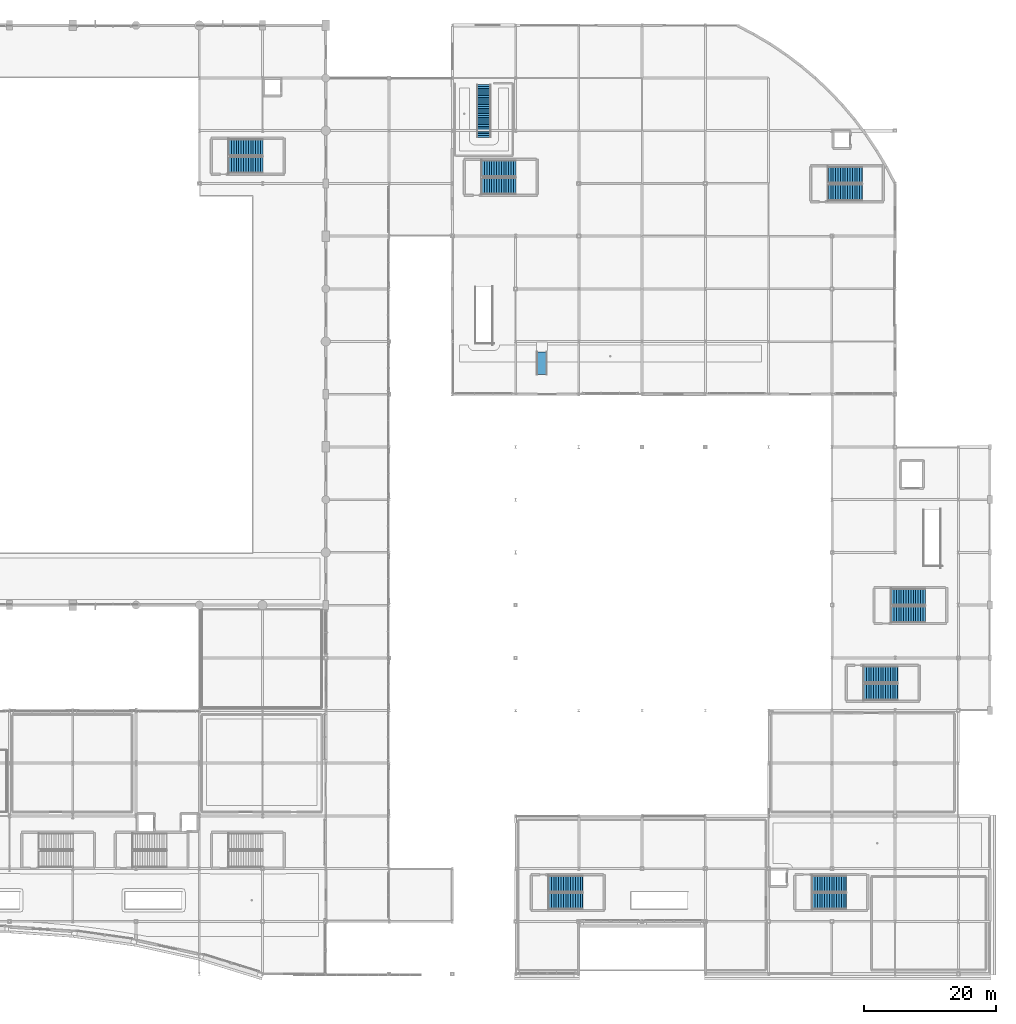
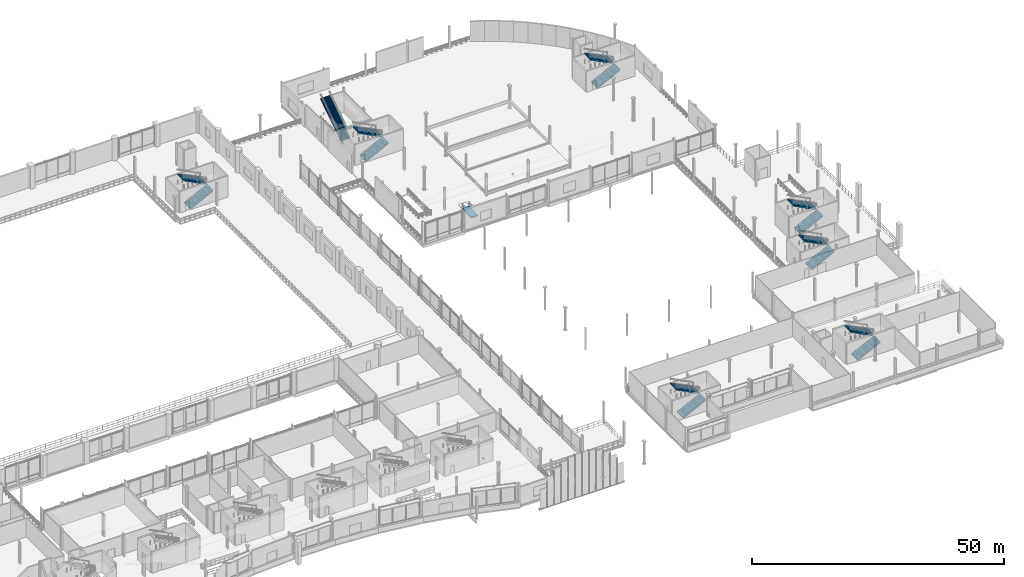
# One storey, part 88 of 129: 15 stair flights, 1 ramp flight, 9 elements without a shape of their own.
"""IFC4 building model written with IfcOpenShell, lengths in metres."""

from ifc_helpers import new_model, si_unit, direction, frame, origin, place, context, subcontext, project, spatial, polyline, outline, extrude, material, type_object, element, aggregate, save


model = new_model("IFC4")

# Units and contexts
model_context = context("Model", 3, precision=1e-05, world=origin(), true_north=direction((0.0, 1.0)))
body_context = subcontext(model_context, "Body", "Model", "MODEL_VIEW")
ifc_project = project(units=[si_unit("LENGTHUNIT", "METRE"), si_unit("AREAUNIT", "SQUARE_METRE"), si_unit("VOLUMEUNIT", "CUBIC_METRE"), si_unit("PLANEANGLEUNIT", "RADIAN"), si_unit("MASSUNIT", "GRAM", prefix="KILO")], contexts=[model_context])

# Site, building, storey
site_placement = place(None, origin())
site = spatial("IfcSite", under=ifc_project, at=site_placement, CompositionType="ELEMENT")
building_placement = place(site_placement, origin())
building = spatial("IfcBuilding", under=site, at=building_placement, Name="Danafjord Basin Convention Centre", CompositionType="ELEMENT")
storey_placement = place(building_placement, frame((0.0, 0.0, 6.0)))
storey = spatial("IfcBuildingStorey", under=building, at=storey_placement, Name="L01", CompositionType="ELEMENT", Elevation=6.0)

# Stair, stair flights
ifc_material_1 = material(Name="Concrete C40/50", Category="concrete")
stair_type_1 = type_object("IfcStairType", Name="STAIR-STR-C01", PredefinedType="TWO_STRAIGHT_RUN_STAIR", material=ifc_material_1)
stair_1_placement = place(storey_placement, origin())
stair_1 = element("IfcStair", 1, at=stair_1_placement, inside=storey, type_object=stair_type_1, Name="L01 North Exhibition Core Stair 1", PredefinedType="HALF_TURN_STAIR")
ifc_material_2 = material(Name="Precast concrete C40/50", Category="concrete")
stair_flight_type = type_object("IfcStairFlightType", Name="SFLT-STD", PredefinedType="STRAIGHT", material=ifc_material_2)
stair_flight_1_placement = place(storey_placement, frame((100.530029296875, 122.81005859375, 0.0), z_axis=(0.0, 0.0, 1.0), x_axis=(1.0, 0.0, 0.0)))
stair_flight_1 = element("IfcStairFlight", 2, at=stair_flight_1_placement, type_object=stair_flight_type, Name="ST-09 flight 1", NumberOfRisers=15, NumberOfTreads=14, PredefinedType="STRAIGHT", RiserHeight=0.18, TreadLength=0.365, context=body_context, shape_type="SweptSolid", body=[
    extrude(outline(polyline([(-0.06494140625, -0.14990234375), (-0.06494140625, -0.00390625), (0.0, -0.00390625), (0.0, 0.179931640625), (0.364990234375, 0.179931640625), (0.364990234375, 0.360107421875), (0.72998046875, 0.360107421875), (0.72998046875, 0.5400390625), (1.094970703125, 0.5400390625), (1.094970703125, 0.719970703125), (1.4599609375, 0.719970703125), (1.4599609375, 0.89990234375), (1.824951171875, 0.89990234375), (1.824951171875, 1.080078125), (2.18994140625, 1.080078125), (2.18994140625, 1.260009765625), (2.554931640625, 1.260009765625), (2.554931640625, 1.43994140625), (2.919921875, 1.43994140625), (2.919921875, 1.6201171875), (3.284912109375, 1.6201171875), (3.284912109375, 1.800048828125), (3.64990234375, 1.800048828125), (3.64990234375, 1.97998046875), (4.014892578125, 1.97998046875), (4.014892578125, 2.159912109375), (4.3798828125, 2.159912109375), (4.3798828125, 2.340087890625), (4.7451171875, 2.340087890625), (4.7451171875, 2.52001953125), (5.110107421875, 2.52001953125), (5.110107421875, 2.699951171875), (5.175048828125, 2.696044921875), (5.175048828125, 2.352783203125), (0.3388671875, -0.14990234375), (-0.06494140625, -0.14990234375)])), frame((0.0, 1.25, 0.0), z_axis=(0.0, -1.0, 0.0), x_axis=(1.0, 0.0, 0.0)), (0.0, 0.0, 1.0), 2.5),
])
stair_flight_2_placement = place(storey_placement, frame((105.639892578125, 125.449951171875, 2.699951171875), z_axis=(0.0, 0.0, 1.0), x_axis=(-1.0, 0.0, 0.0)))
stair_flight_2 = element("IfcStairFlight", 3, at=stair_flight_2_placement, type_object=stair_flight_type, Name="ST-09 flight 2", NumberOfRisers=15, NumberOfTreads=14, PredefinedType="STRAIGHT", RiserHeight=0.18, TreadLength=0.365, context=body_context, shape_type="SweptSolid", body=[
    extrude(outline(polyline([(-0.06494140625, -0.14990234375), (-0.06494140625, -0.00390625), (0.0, -0.00390625), (0.0, 0.179931640625), (0.364990234375, 0.179931640625), (0.364990234375, 0.360107421875), (0.72998046875, 0.360107421875), (0.72998046875, 0.5400390625), (1.094970703125, 0.5400390625), (1.094970703125, 0.719970703125), (1.4599609375, 0.719970703125), (1.4599609375, 0.89990234375), (1.824951171875, 0.89990234375), (1.824951171875, 1.080078125), (2.18994140625, 1.080078125), (2.18994140625, 1.260009765625), (2.554931640625, 1.260009765625), (2.554931640625, 1.43994140625), (2.919921875, 1.43994140625), (2.919921875, 1.6201171875), (3.284912109375, 1.6201171875), (3.284912109375, 1.800048828125), (3.64990234375, 1.800048828125), (3.64990234375, 1.97998046875), (4.014892578125, 1.97998046875), (4.014892578125, 2.159912109375), (4.3798828125, 2.159912109375), (4.3798828125, 2.340087890625), (4.7451171875, 2.340087890625), (4.7451171875, 2.52001953125), (5.110107421875, 2.52001953125), (5.110107421875, 2.699951171875), (5.175048828125, 2.696044921875), (5.175048828125, 2.352783203125), (0.3388671875, -0.14990234375), (-0.06494140625, -0.14990234375)])), frame((0.0, 1.25, 0.0), z_axis=(0.0, -1.0, 0.0), x_axis=(1.0, 0.0, 0.0)), (0.0, 0.0, 1.0), 2.5),
])
aggregate(stair_1, [stair_flight_1, stair_flight_2])

stair_2_placement = place(storey_placement, origin())
stair_2 = element("IfcStair", 4, at=stair_2_placement, inside=storey, type_object=stair_type_1, Name="L01 Plenary North-East Core Stair 1", PredefinedType="HALF_TURN_STAIR")
stair_flight_3_placement = place(storey_placement, frame((191.47998046875, 118.610107421875, 0.0), z_axis=(0.0, 0.0, 1.0), x_axis=(1.0, 0.0, 0.0)))
stair_flight_3 = element("IfcStairFlight", 5, at=stair_flight_3_placement, type_object=stair_flight_type, Name="ST-11 flight 1", NumberOfRisers=15, NumberOfTreads=14, PredefinedType="STRAIGHT", RiserHeight=0.18, TreadLength=0.365, context=body_context, shape_type="SweptSolid", body=[
    extrude(outline(polyline([(-0.06494140625, -0.14990234375), (-0.06494140625, -0.00390625), (0.0, -0.00390625), (0.0, 0.179931640625), (0.364990234375, 0.179931640625), (0.364990234375, 0.360107421875), (0.72998046875, 0.360107421875), (0.72998046875, 0.5400390625), (1.094970703125, 0.5400390625), (1.094970703125, 0.719970703125), (1.4599609375, 0.719970703125), (1.4599609375, 0.89990234375), (1.824951171875, 0.89990234375), (1.824951171875, 1.080078125), (2.18994140625, 1.080078125), (2.18994140625, 1.260009765625), (2.554931640625, 1.260009765625), (2.554931640625, 1.43994140625), (2.919921875, 1.43994140625), (2.919921875, 1.6201171875), (3.284912109375, 1.6201171875), (3.284912109375, 1.800048828125), (3.64990234375, 1.800048828125), (3.64990234375, 1.97998046875), (4.014892578125, 1.97998046875), (4.014892578125, 2.159912109375), (4.3798828125, 2.159912109375), (4.3798828125, 2.340087890625), (4.7451171875, 2.340087890625), (4.7451171875, 2.52001953125), (5.110107421875, 2.52001953125), (5.110107421875, 2.699951171875), (5.175048828125, 2.696044921875), (5.175048828125, 2.352783203125), (0.3388671875, -0.14990234375), (-0.06494140625, -0.14990234375)])), frame((0.0, 1.25, 0.0), z_axis=(0.0, -1.0, 0.0), x_axis=(1.0, 0.0, 0.0)), (0.0, 0.0, 1.0), 2.5),
])
stair_flight_4_placement = place(storey_placement, frame((196.590087890625, 121.25, 2.699951171875), z_axis=(0.0, 0.0, 1.0), x_axis=(-1.0, 0.0, 0.0)))
stair_flight_4 = element("IfcStairFlight", 6, at=stair_flight_4_placement, type_object=stair_flight_type, Name="ST-11 flight 2", NumberOfRisers=15, NumberOfTreads=14, PredefinedType="STRAIGHT", RiserHeight=0.18, TreadLength=0.365, context=body_context, shape_type="SweptSolid", body=[
    extrude(outline(polyline([(-0.06494140625, -0.14990234375), (-0.06494140625, -0.00390625), (0.0, -0.00390625), (0.0, 0.179931640625), (0.364990234375, 0.179931640625), (0.364990234375, 0.360107421875), (0.72998046875, 0.360107421875), (0.72998046875, 0.5400390625), (1.094970703125, 0.5400390625), (1.094970703125, 0.719970703125), (1.4599609375, 0.719970703125), (1.4599609375, 0.89990234375), (1.824951171875, 0.89990234375), (1.824951171875, 1.080078125), (2.18994140625, 1.080078125), (2.18994140625, 1.260009765625), (2.554931640625, 1.260009765625), (2.554931640625, 1.43994140625), (2.919921875, 1.43994140625), (2.919921875, 1.6201171875), (3.284912109375, 1.6201171875), (3.284912109375, 1.800048828125), (3.64990234375, 1.800048828125), (3.64990234375, 1.97998046875), (4.014892578125, 1.97998046875), (4.014892578125, 2.159912109375), (4.3798828125, 2.159912109375), (4.3798828125, 2.340087890625), (4.7451171875, 2.340087890625), (4.7451171875, 2.52001953125), (5.110107421875, 2.52001953125), (5.110107421875, 2.699951171875), (5.175048828125, 2.696044921875), (5.175048828125, 2.352783203125), (0.3388671875, -0.14990234375), (-0.06494140625, -0.14990234375)])), frame((0.0, 1.25, 0.0), z_axis=(0.0, -1.0, 0.0), x_axis=(1.0, 0.0, 0.0)), (0.0, 0.0, 1.0), 2.5),
])
aggregate(stair_2, [stair_flight_3, stair_flight_4])

stair_3_placement = place(storey_placement, origin())
stair_3 = element("IfcStair", 7, at=stair_3_placement, inside=storey, type_object=stair_type_1, Name="L01 Ballroom East Core Stair 1", PredefinedType="HALF_TURN_STAIR")
stair_flight_5_placement = place(storey_placement, frame((201.080078125, 54.610107421875, 0.0), z_axis=(0.0, 0.0, 1.0), x_axis=(1.0, 0.0, 0.0)))
stair_flight_5 = element("IfcStairFlight", 8, at=stair_flight_5_placement, type_object=stair_flight_type, Name="ST-13 flight 1", NumberOfRisers=15, NumberOfTreads=14, PredefinedType="STRAIGHT", RiserHeight=0.18, TreadLength=0.365, context=body_context, shape_type="SweptSolid", body=[
    extrude(outline(polyline([(-0.06494140625, -0.14990234375), (-0.06494140625, -0.00390625), (0.0, -0.00390625), (0.0, 0.179931640625), (0.364990234375, 0.179931640625), (0.364990234375, 0.360107421875), (0.72998046875, 0.360107421875), (0.72998046875, 0.5400390625), (1.094970703125, 0.5400390625), (1.094970703125, 0.719970703125), (1.4599609375, 0.719970703125), (1.4599609375, 0.89990234375), (1.824951171875, 0.89990234375), (1.824951171875, 1.080078125), (2.18994140625, 1.080078125), (2.18994140625, 1.260009765625), (2.554931640625, 1.260009765625), (2.554931640625, 1.43994140625), (2.919921875, 1.43994140625), (2.919921875, 1.6201171875), (3.284912109375, 1.6201171875), (3.284912109375, 1.800048828125), (3.64990234375, 1.800048828125), (3.64990234375, 1.97998046875), (4.014892578125, 1.97998046875), (4.014892578125, 2.159912109375), (4.3798828125, 2.159912109375), (4.3798828125, 2.340087890625), (4.7451171875, 2.340087890625), (4.7451171875, 2.52001953125), (5.110107421875, 2.52001953125), (5.110107421875, 2.699951171875), (5.175048828125, 2.696044921875), (5.175048828125, 2.352783203125), (0.3388671875, -0.14990234375), (-0.06494140625, -0.14990234375)])), frame((0.0, 1.25, 0.0), z_axis=(0.0, -1.0, 0.0), x_axis=(1.0, 0.0, 0.0)), (0.0, 0.0, 1.0), 2.5),
])
stair_flight_6_placement = place(storey_placement, frame((206.18994140625, 57.25, 2.699951171875), z_axis=(0.0, 0.0, 1.0), x_axis=(-1.0, 0.0, 0.0)))
stair_flight_6 = element("IfcStairFlight", 9, at=stair_flight_6_placement, type_object=stair_flight_type, Name="ST-13 flight 2", NumberOfRisers=15, NumberOfTreads=14, PredefinedType="STRAIGHT", RiserHeight=0.18, TreadLength=0.365, context=body_context, shape_type="SweptSolid", body=[
    extrude(outline(polyline([(-0.06494140625, -0.14990234375), (-0.06494140625, -0.00390625), (0.0, -0.00390625), (0.0, 0.179931640625), (0.364990234375, 0.179931640625), (0.364990234375, 0.360107421875), (0.72998046875, 0.360107421875), (0.72998046875, 0.5400390625), (1.094970703125, 0.5400390625), (1.094970703125, 0.719970703125), (1.4599609375, 0.719970703125), (1.4599609375, 0.89990234375), (1.824951171875, 0.89990234375), (1.824951171875, 1.080078125), (2.18994140625, 1.080078125), (2.18994140625, 1.260009765625), (2.554931640625, 1.260009765625), (2.554931640625, 1.43994140625), (2.919921875, 1.43994140625), (2.919921875, 1.6201171875), (3.284912109375, 1.6201171875), (3.284912109375, 1.800048828125), (3.64990234375, 1.800048828125), (3.64990234375, 1.97998046875), (4.014892578125, 1.97998046875), (4.014892578125, 2.159912109375), (4.3798828125, 2.159912109375), (4.3798828125, 2.340087890625), (4.7451171875, 2.340087890625), (4.7451171875, 2.52001953125), (5.110107421875, 2.52001953125), (5.110107421875, 2.699951171875), (5.175048828125, 2.696044921875), (5.175048828125, 2.352783203125), (0.3388671875, -0.14990234375), (-0.06494140625, -0.14990234375)])), frame((0.0, 1.25, 0.0), z_axis=(0.0, -1.0, 0.0), x_axis=(1.0, 0.0, 0.0)), (0.0, 0.0, 1.0), 2.5),
])
aggregate(stair_3, [stair_flight_5, stair_flight_6])

stair_4_placement = place(storey_placement, origin())
stair_4 = element("IfcStair", 10, at=stair_4_placement, inside=storey, type_object=stair_type_1, Name="L01 Harbour Pavilion Core Stair 1", PredefinedType="HALF_TURN_STAIR")
stair_flight_7_placement = place(storey_placement, frame((189.080078125, 11.06005859375, 0.0), z_axis=(0.0, 0.0, 1.0), x_axis=(1.0, 0.0, 0.0)))
stair_flight_7 = element("IfcStairFlight", 11, at=stair_flight_7_placement, type_object=stair_flight_type, Name="ST-15 flight 1", NumberOfRisers=15, NumberOfTreads=14, PredefinedType="STRAIGHT", RiserHeight=0.18, TreadLength=0.365, context=body_context, shape_type="SweptSolid", body=[
    extrude(outline(polyline([(-0.06494140625, -0.14990234375), (-0.06494140625, -0.00390625), (0.0, -0.00390625), (0.0, 0.179931640625), (0.364990234375, 0.179931640625), (0.364990234375, 0.360107421875), (0.72998046875, 0.360107421875), (0.72998046875, 0.5400390625), (1.094970703125, 0.5400390625), (1.094970703125, 0.719970703125), (1.4599609375, 0.719970703125), (1.4599609375, 0.89990234375), (1.824951171875, 0.89990234375), (1.824951171875, 1.080078125), (2.18994140625, 1.080078125), (2.18994140625, 1.260009765625), (2.554931640625, 1.260009765625), (2.554931640625, 1.43994140625), (2.919921875, 1.43994140625), (2.919921875, 1.6201171875), (3.284912109375, 1.6201171875), (3.284912109375, 1.800048828125), (3.64990234375, 1.800048828125), (3.64990234375, 1.97998046875), (4.014892578125, 1.97998046875), (4.014892578125, 2.159912109375), (4.3798828125, 2.159912109375), (4.3798828125, 2.340087890625), (4.7451171875, 2.340087890625), (4.7451171875, 2.52001953125), (5.110107421875, 2.52001953125), (5.110107421875, 2.699951171875), (5.175048828125, 2.696044921875), (5.175048828125, 2.352783203125), (0.3388671875, -0.14990234375), (-0.06494140625, -0.14990234375)])), frame((0.0, 1.25, 0.0), z_axis=(0.0, -1.0, 0.0), x_axis=(1.0, 0.0, 0.0)), (0.0, 0.0, 1.0), 2.5),
])
stair_flight_8_placement = place(storey_placement, frame((194.18994140625, 13.699951171875, 2.699951171875), z_axis=(0.0, 0.0, 1.0), x_axis=(-1.0, 0.0, 0.0)))
stair_flight_8 = element("IfcStairFlight", 12, at=stair_flight_8_placement, type_object=stair_flight_type, Name="ST-15 flight 2", NumberOfRisers=15, NumberOfTreads=14, PredefinedType="STRAIGHT", RiserHeight=0.18, TreadLength=0.365, context=body_context, shape_type="SweptSolid", body=[
    extrude(outline(polyline([(-0.06494140625, -0.14990234375), (-0.06494140625, -0.00390625), (0.0, -0.00390625), (0.0, 0.179931640625), (0.364990234375, 0.179931640625), (0.364990234375, 0.360107421875), (0.72998046875, 0.360107421875), (0.72998046875, 0.5400390625), (1.094970703125, 0.5400390625), (1.094970703125, 0.719970703125), (1.4599609375, 0.719970703125), (1.4599609375, 0.89990234375), (1.824951171875, 0.89990234375), (1.824951171875, 1.080078125), (2.18994140625, 1.080078125), (2.18994140625, 1.260009765625), (2.554931640625, 1.260009765625), (2.554931640625, 1.43994140625), (2.919921875, 1.43994140625), (2.919921875, 1.6201171875), (3.284912109375, 1.6201171875), (3.284912109375, 1.800048828125), (3.64990234375, 1.800048828125), (3.64990234375, 1.97998046875), (4.014892578125, 1.97998046875), (4.014892578125, 2.159912109375), (4.3798828125, 2.159912109375), (4.3798828125, 2.340087890625), (4.7451171875, 2.340087890625), (4.7451171875, 2.52001953125), (5.110107421875, 2.52001953125), (5.110107421875, 2.699951171875), (5.175048828125, 2.696044921875), (5.175048828125, 2.352783203125), (0.3388671875, -0.14990234375), (-0.06494140625, -0.14990234375)])), frame((0.0, 1.25, 0.0), z_axis=(0.0, -1.0, 0.0), x_axis=(1.0, 0.0, 0.0)), (0.0, 0.0, 1.0), 2.5),
])
aggregate(stair_4, [stair_flight_7, stair_flight_8])

stair_5_placement = place(storey_placement, origin())
stair_5 = element("IfcStair", 13, at=stair_5_placement, inside=storey, type_object=stair_type_1, Name="L01 Plenary West Escape Stair", PredefinedType="HALF_TURN_STAIR")
stair_flight_9_placement = place(storey_placement, frame((138.929931640625, 119.610107421875, 0.0), z_axis=(0.0, 0.0, 1.0), x_axis=(1.0, 0.0, 0.0)))
stair_flight_9 = element("IfcStairFlight", 14, at=stair_flight_9_placement, type_object=stair_flight_type, Name="ST-12 flight 1", NumberOfRisers=15, NumberOfTreads=14, PredefinedType="STRAIGHT", RiserHeight=0.18, TreadLength=0.365, context=body_context, shape_type="SweptSolid", body=[
    extrude(outline(polyline([(-0.06494140625, -0.14990234375), (-0.06494140625, -0.00390625), (0.0, -0.00390625), (0.0, 0.179931640625), (0.364990234375, 0.179931640625), (0.364990234375, 0.360107421875), (0.72998046875, 0.360107421875), (0.72998046875, 0.5400390625), (1.094970703125, 0.5400390625), (1.094970703125, 0.719970703125), (1.4599609375, 0.719970703125), (1.4599609375, 0.89990234375), (1.824951171875, 0.89990234375), (1.824951171875, 1.080078125), (2.18994140625, 1.080078125), (2.18994140625, 1.260009765625), (2.554931640625, 1.260009765625), (2.554931640625, 1.43994140625), (2.919921875, 1.43994140625), (2.919921875, 1.6201171875), (3.284912109375, 1.6201171875), (3.284912109375, 1.800048828125), (3.64990234375, 1.800048828125), (3.64990234375, 1.97998046875), (4.014892578125, 1.97998046875), (4.014892578125, 2.159912109375), (4.3798828125, 2.159912109375), (4.3798828125, 2.340087890625), (4.7451171875, 2.340087890625), (4.7451171875, 2.52001953125), (5.110107421875, 2.52001953125), (5.110107421875, 2.699951171875), (5.175048828125, 2.696044921875), (5.175048828125, 2.352783203125), (0.3388671875, -0.14990234375), (-0.06494140625, -0.14990234375)])), frame((0.0, 1.25, 0.0), z_axis=(0.0, -1.0, 0.0), x_axis=(1.0, 0.0, 0.0)), (0.0, 0.0, 1.0), 2.5),
])
stair_flight_10_placement = place(storey_placement, frame((144.0400390625, 122.25, 2.699951171875), z_axis=(0.0, 0.0, 1.0), x_axis=(-1.0, 0.0, 0.0)))
stair_flight_10 = element("IfcStairFlight", 15, at=stair_flight_10_placement, type_object=stair_flight_type, Name="ST-12 flight 2", NumberOfRisers=15, NumberOfTreads=14, PredefinedType="STRAIGHT", RiserHeight=0.18, TreadLength=0.365, context=body_context, shape_type="SweptSolid", body=[
    extrude(outline(polyline([(-0.06494140625, -0.14990234375), (-0.06494140625, -0.00390625), (0.0, -0.00390625), (0.0, 0.179931640625), (0.364990234375, 0.179931640625), (0.364990234375, 0.360107421875), (0.72998046875, 0.360107421875), (0.72998046875, 0.5400390625), (1.094970703125, 0.5400390625), (1.094970703125, 0.719970703125), (1.4599609375, 0.719970703125), (1.4599609375, 0.89990234375), (1.824951171875, 0.89990234375), (1.824951171875, 1.080078125), (2.18994140625, 1.080078125), (2.18994140625, 1.260009765625), (2.554931640625, 1.260009765625), (2.554931640625, 1.43994140625), (2.919921875, 1.43994140625), (2.919921875, 1.6201171875), (3.284912109375, 1.6201171875), (3.284912109375, 1.800048828125), (3.64990234375, 1.800048828125), (3.64990234375, 1.97998046875), (4.014892578125, 1.97998046875), (4.014892578125, 2.159912109375), (4.3798828125, 2.159912109375), (4.3798828125, 2.340087890625), (4.7451171875, 2.340087890625), (4.7451171875, 2.52001953125), (5.110107421875, 2.52001953125), (5.110107421875, 2.699951171875), (5.175048828125, 2.696044921875), (5.175048828125, 2.352783203125), (0.3388671875, -0.14990234375), (-0.06494140625, -0.14990234375)])), frame((0.0, 1.25, 0.0), z_axis=(0.0, -1.0, 0.0), x_axis=(1.0, 0.0, 0.0)), (0.0, 0.0, 1.0), 2.5),
])
aggregate(stair_5, [stair_flight_9, stair_flight_10])

stair_6_placement = place(storey_placement, origin())
stair_6 = element("IfcStair", 16, at=stair_6_placement, inside=storey, type_object=stair_type_1, Name="L01 Ballroom South-East Escape Stair", PredefinedType="HALF_TURN_STAIR")
stair_flight_11_placement = place(storey_placement, frame((196.8798828125, 42.81005859375, 0.0), z_axis=(0.0, 0.0, 1.0), x_axis=(1.0, 0.0, 0.0)))
stair_flight_11 = element("IfcStairFlight", 17, at=stair_flight_11_placement, type_object=stair_flight_type, Name="ST-14 flight 1", NumberOfRisers=15, NumberOfTreads=14, PredefinedType="STRAIGHT", RiserHeight=0.18, TreadLength=0.365, context=body_context, shape_type="SweptSolid", body=[
    extrude(outline(polyline([(-0.06494140625, -0.14990234375), (-0.06494140625, -0.00390625), (0.0, -0.00390625), (0.0, 0.179931640625), (0.364990234375, 0.179931640625), (0.364990234375, 0.360107421875), (0.72998046875, 0.360107421875), (0.72998046875, 0.5400390625), (1.094970703125, 0.5400390625), (1.094970703125, 0.719970703125), (1.4599609375, 0.719970703125), (1.4599609375, 0.89990234375), (1.824951171875, 0.89990234375), (1.824951171875, 1.080078125), (2.18994140625, 1.080078125), (2.18994140625, 1.260009765625), (2.554931640625, 1.260009765625), (2.554931640625, 1.43994140625), (2.919921875, 1.43994140625), (2.919921875, 1.6201171875), (3.284912109375, 1.6201171875), (3.284912109375, 1.800048828125), (3.64990234375, 1.800048828125), (3.64990234375, 1.97998046875), (4.014892578125, 1.97998046875), (4.014892578125, 2.159912109375), (4.3798828125, 2.159912109375), (4.3798828125, 2.340087890625), (4.7451171875, 2.340087890625), (4.7451171875, 2.52001953125), (5.110107421875, 2.52001953125), (5.110107421875, 2.699951171875), (5.175048828125, 2.696044921875), (5.175048828125, 2.352783203125), (0.3388671875, -0.14990234375), (-0.06494140625, -0.14990234375)])), frame((0.0, 1.25, 0.0), z_axis=(0.0, -1.0, 0.0), x_axis=(1.0, 0.0, 0.0)), (0.0, 0.0, 1.0), 2.5),
])
stair_flight_12_placement = place(storey_placement, frame((201.989990234375, 45.449951171875, 2.699951171875), z_axis=(0.0, 0.0, 1.0), x_axis=(-1.0, 0.0, 0.0)))
stair_flight_12 = element("IfcStairFlight", 18, at=stair_flight_12_placement, type_object=stair_flight_type, Name="ST-14 flight 2", NumberOfRisers=15, NumberOfTreads=14, PredefinedType="STRAIGHT", RiserHeight=0.18, TreadLength=0.365, context=body_context, shape_type="SweptSolid", body=[
    extrude(outline(polyline([(-0.06494140625, -0.14990234375), (-0.06494140625, -0.00390625), (0.0, -0.00390625), (0.0, 0.179931640625), (0.364990234375, 0.179931640625), (0.364990234375, 0.360107421875), (0.72998046875, 0.360107421875), (0.72998046875, 0.5400390625), (1.094970703125, 0.5400390625), (1.094970703125, 0.719970703125), (1.4599609375, 0.719970703125), (1.4599609375, 0.89990234375), (1.824951171875, 0.89990234375), (1.824951171875, 1.080078125), (2.18994140625, 1.080078125), (2.18994140625, 1.260009765625), (2.554931640625, 1.260009765625), (2.554931640625, 1.43994140625), (2.919921875, 1.43994140625), (2.919921875, 1.6201171875), (3.284912109375, 1.6201171875), (3.284912109375, 1.800048828125), (3.64990234375, 1.800048828125), (3.64990234375, 1.97998046875), (4.014892578125, 1.97998046875), (4.014892578125, 2.159912109375), (4.3798828125, 2.159912109375), (4.3798828125, 2.340087890625), (4.7451171875, 2.340087890625), (4.7451171875, 2.52001953125), (5.110107421875, 2.52001953125), (5.110107421875, 2.699951171875), (5.175048828125, 2.696044921875), (5.175048828125, 2.352783203125), (0.3388671875, -0.14990234375), (-0.06494140625, -0.14990234375)])), frame((0.0, 1.25, 0.0), z_axis=(0.0, -1.0, 0.0), x_axis=(1.0, 0.0, 0.0)), (0.0, 0.0, 1.0), 2.5),
])
aggregate(stair_6, [stair_flight_11, stair_flight_12])

stair_7_placement = place(storey_placement, origin())
stair_7 = element("IfcStair", 19, at=stair_7_placement, inside=storey, type_object=stair_type_1, Name="L01 Harbour Pavilion West Escape Stair", PredefinedType="HALF_TURN_STAIR")
stair_flight_13_placement = place(storey_placement, frame((149.080078125, 11.06005859375, 0.0), z_axis=(0.0, 0.0, 1.0), x_axis=(1.0, 0.0, 0.0)))
stair_flight_13 = element("IfcStairFlight", 20, at=stair_flight_13_placement, type_object=stair_flight_type, Name="ST-16 flight 1", NumberOfRisers=15, NumberOfTreads=14, PredefinedType="STRAIGHT", RiserHeight=0.18, TreadLength=0.365, context=body_context, shape_type="SweptSolid", body=[
    extrude(outline(polyline([(-0.06494140625, -0.14990234375), (-0.06494140625, -0.00390625), (0.0, -0.00390625), (0.0, 0.179931640625), (0.364990234375, 0.179931640625), (0.364990234375, 0.360107421875), (0.72998046875, 0.360107421875), (0.72998046875, 0.5400390625), (1.094970703125, 0.5400390625), (1.094970703125, 0.719970703125), (1.4599609375, 0.719970703125), (1.4599609375, 0.89990234375), (1.824951171875, 0.89990234375), (1.824951171875, 1.080078125), (2.18994140625, 1.080078125), (2.18994140625, 1.260009765625), (2.554931640625, 1.260009765625), (2.554931640625, 1.43994140625), (2.919921875, 1.43994140625), (2.919921875, 1.6201171875), (3.284912109375, 1.6201171875), (3.284912109375, 1.800048828125), (3.64990234375, 1.800048828125), (3.64990234375, 1.97998046875), (4.014892578125, 1.97998046875), (4.014892578125, 2.159912109375), (4.3798828125, 2.159912109375), (4.3798828125, 2.340087890625), (4.7451171875, 2.340087890625), (4.7451171875, 2.52001953125), (5.110107421875, 2.52001953125), (5.110107421875, 2.699951171875), (5.175048828125, 2.696044921875), (5.175048828125, 2.352783203125), (0.3388671875, -0.14990234375), (-0.06494140625, -0.14990234375)])), frame((0.0, 1.25, 0.0), z_axis=(0.0, -1.0, 0.0), x_axis=(1.0, 0.0, 0.0)), (0.0, 0.0, 1.0), 2.5),
])
stair_flight_14_placement = place(storey_placement, frame((154.18994140625, 13.699951171875, 2.699951171875), z_axis=(0.0, 0.0, 1.0), x_axis=(-1.0, 0.0, 0.0)))
stair_flight_14 = element("IfcStairFlight", 21, at=stair_flight_14_placement, type_object=stair_flight_type, Name="ST-16 flight 2", NumberOfRisers=15, NumberOfTreads=14, PredefinedType="STRAIGHT", RiserHeight=0.18, TreadLength=0.365, context=body_context, shape_type="SweptSolid", body=[
    extrude(outline(polyline([(-0.06494140625, -0.14990234375), (-0.06494140625, -0.00390625), (0.0, -0.00390625), (0.0, 0.179931640625), (0.364990234375, 0.179931640625), (0.364990234375, 0.360107421875), (0.72998046875, 0.360107421875), (0.72998046875, 0.5400390625), (1.094970703125, 0.5400390625), (1.094970703125, 0.719970703125), (1.4599609375, 0.719970703125), (1.4599609375, 0.89990234375), (1.824951171875, 0.89990234375), (1.824951171875, 1.080078125), (2.18994140625, 1.080078125), (2.18994140625, 1.260009765625), (2.554931640625, 1.260009765625), (2.554931640625, 1.43994140625), (2.919921875, 1.43994140625), (2.919921875, 1.6201171875), (3.284912109375, 1.6201171875), (3.284912109375, 1.800048828125), (3.64990234375, 1.800048828125), (3.64990234375, 1.97998046875), (4.014892578125, 1.97998046875), (4.014892578125, 2.159912109375), (4.3798828125, 2.159912109375), (4.3798828125, 2.340087890625), (4.7451171875, 2.340087890625), (4.7451171875, 2.52001953125), (5.110107421875, 2.52001953125), (5.110107421875, 2.699951171875), (5.175048828125, 2.696044921875), (5.175048828125, 2.352783203125), (0.3388671875, -0.14990234375), (-0.06494140625, -0.14990234375)])), frame((0.0, 1.25, 0.0), z_axis=(0.0, -1.0, 0.0), x_axis=(1.0, 0.0, 0.0)), (0.0, 0.0, 1.0), 2.5),
])
aggregate(stair_7, [stair_flight_13, stair_flight_14])

# Stair, stair flight
stair_type_2 = type_object("IfcStairType", Name="STAIR-STR-F01", PredefinedType="STRAIGHT_RUN_STAIR", material=ifc_material_1)
stair_8_placement = place(storey_placement, origin())
stair_8 = element("IfcStair", 22, at=stair_8_placement, inside=storey, type_object=stair_type_2, Name="Plenary Balcony Foyer Stair", PredefinedType="STRAIGHT_RUN_STAIR")
stair_flight_15_placement = place(storey_placement, frame((139.199951171875, 127.0, 0.0), z_axis=(0.0, 0.0, 1.0), x_axis=(0.0, 1.0, 0.0)))
stair_flight_15 = element("IfcStairFlight", 23, at=stair_flight_15_placement, type_object=stair_flight_type, Name="Plenary Balcony Foyer Stair flight", NumberOfRisers=30, NumberOfTreads=29, PredefinedType="STRAIGHT", RiserHeight=0.18, TreadLength=0.275, context=body_context, shape_type="SweptSolid", body=[
    extrude(outline(polyline([(-0.06494140625, -0.159912109375), (-0.06494140625, -0.00390625), (0.0, -0.00390625), (0.0, 0.179931640625), (0.27490234375, 0.179931640625), (0.27490234375, 0.360107421875), (0.550048828125, 0.360107421875), (0.550048828125, 0.5400390625), (0.824951171875, 0.5400390625), (0.824951171875, 0.719970703125), (1.10009765625, 0.719970703125), (1.10009765625, 0.89990234375), (1.375, 0.89990234375), (1.375, 1.080078125), (1.64990234375, 1.080078125), (1.64990234375, 1.260009765625), (1.925048828125, 1.260009765625), (1.925048828125, 1.43994140625), (2.199951171875, 1.43994140625), (2.199951171875, 1.6201171875), (2.47509765625, 1.6201171875), (2.47509765625, 1.800048828125), (2.75, 1.800048828125), (2.75, 1.97998046875), (3.02490234375, 1.97998046875), (3.02490234375, 2.159912109375), (3.300048828125, 2.159912109375), (3.300048828125, 2.340087890625), (3.574951171875, 2.340087890625), (3.574951171875, 2.52001953125), (3.85009765625, 2.52001953125), (3.85009765625, 2.699951171875), (4.125, 2.699951171875), (4.125, 2.8798828125), (4.39990234375, 2.8798828125), (4.39990234375, 3.06005859375), (4.675048828125, 3.06005859375), (4.675048828125, 3.239990234375), (4.949951171875, 3.239990234375), (4.949951171875, 3.419921875), (5.22509765625, 3.419921875), (5.22509765625, 3.60009765625), (5.5, 3.60009765625), (5.5, 3.780029296875), (5.77490234375, 3.780029296875), (5.77490234375, 3.9599609375), (6.050048828125, 3.9599609375), (6.050048828125, 4.139892578125), (6.324951171875, 4.139892578125), (6.324951171875, 4.320068359375), (6.60009765625, 4.320068359375), (6.60009765625, 4.5), (6.875, 4.5), (6.875, 4.679931640625), (7.14990234375, 4.679931640625), (7.14990234375, 4.860107421875), (7.425048828125, 4.860107421875), (7.425048828125, 5.0400390625), (7.699951171875, 5.0400390625), (7.699951171875, 5.219970703125), (7.97509765625, 5.219970703125), (7.97509765625, 5.39990234375), (8.0400390625, 5.39599609375), (8.0400390625, 4.95703125), (0.401611328125, -0.159912109375), (-0.06494140625, -0.159912109375)])), frame((0.0, 1.050048828125, 0.0), z_axis=(0.0, -1.0, 0.0), x_axis=(1.0, 0.0, 0.0)), (0.0, 0.0, 1.0), 2.10009765625),
])
aggregate(stair_8, [stair_flight_15])

# Ramp, ramp flight
ifc_material_3 = material(Name="Concrete C35/45", Category="concrete")
ramp_type = type_object("IfcRampType", Name="RMP-ACC", PredefinedType="STRAIGHT_RUN_RAMP", material=ifc_material_3)
ramp_placement = place(storey_placement, origin())
ramp = element("IfcRamp", 24, at=ramp_placement, inside=storey, type_object=ramp_type, Name="L01 Accessible Threshold Ramp AR-05", PredefinedType="STRAIGHT_RUN_RAMP")
ramp_flight_type = type_object("IfcRampFlightType", Name="RFLT-ACC", PredefinedType="STRAIGHT", material=ifc_material_3)
ramp_flight_placement = place(storey_placement, frame((148.0, 91.0, 0.0), z_axis=(0.0, 0.0, 1.0), x_axis=(0.0, 1.0, 0.0)))
ramp_flight = element("IfcRampFlight", 25, at=ramp_flight_placement, type_object=ramp_flight_type, Name="Accessible Ramp AR-05 Flight", PredefinedType="STRAIGHT", context=body_context, shape_type="SweptSolid", body=[
    extrude(outline(polyline([(0.0, 0.0), (3.39990234375, 0.199951171875), (3.39990234375, 0.0), (0.0, -0.199951171875), (0.0, 0.0)])), frame((0.0, 0.800048828125, 0.0), z_axis=(0.0, -1.0, 0.0), x_axis=(1.0, 0.0, 0.0)), (0.0, 0.0, 1.0), 1.60009765625),
])
aggregate(ramp, [ramp_flight])

save(model, "model.ifc")
